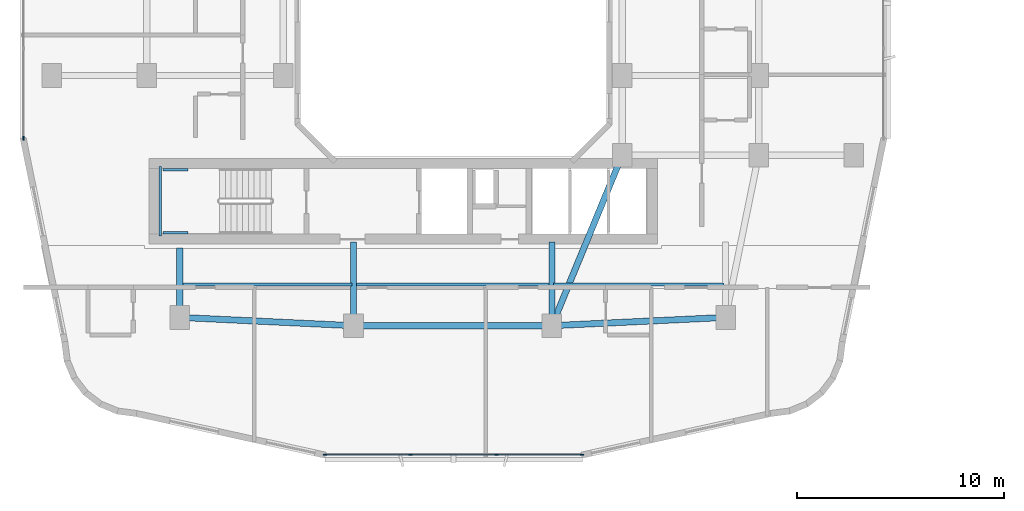
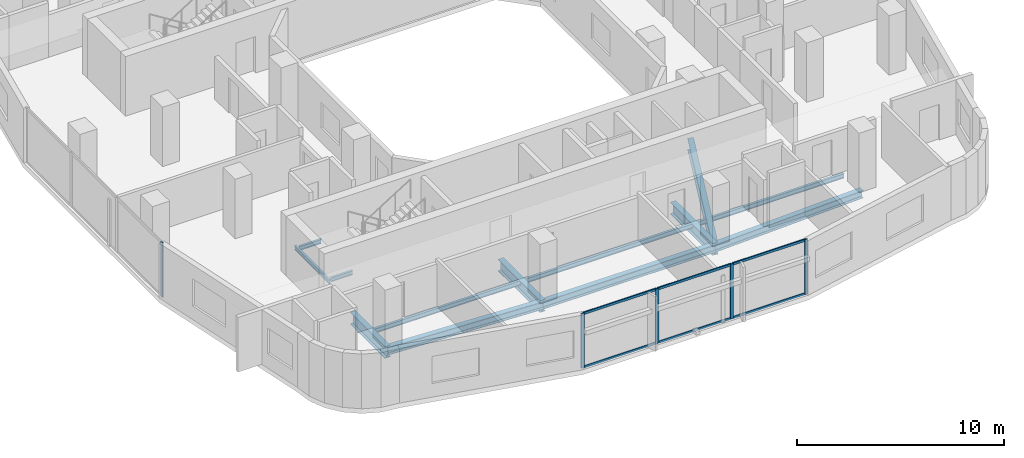
# One storey, part 2 of 27: 13 beams, 11 members, 2 elements without a shape of their own.
"""IFC4 building model written with IfcOpenShell, lengths in metres."""

import ifcopenshell
import ifcopenshell.guid

model = None  # the IFC model being written
_history = None  # IfcOwnerHistory: only IFC2X3 demands one
_inside = {}  # id of a spatial element -> (the spatial element, [elements in it])
_under = {}  # id of a project, library or spatial element -> (it, [spatial elements below it])
_declared = {}  # id of a project -> (the project, [libraries it declares])
_typed = {}  # id of a type object -> (the type object, [elements of that type])
_made_of = {}  # id of a material, layer set ... -> (it, [elements and type objects made of it])


def new_model(schema):
    """Start an empty IFC model of exactly this schema.

    Asked for "IFC4X3", IfcOpenShell would pick the latest addendum, in which some entities
    have other attributes; the version numbers below select the first issue.
    IFC2X3 requires an IfcOwnerHistory on every rooted entity: one is made here for all.
    """
    global model, _history
    if schema == "IFC4X3":
        model = ifcopenshell.file(schema_version=(4, 3, 0, 0))
    else:
        model = ifcopenshell.file(schema=schema)
    _inside.clear()
    _under.clear()
    _declared.clear()
    _typed.clear()
    _made_of.clear()
    _history = None
    if model.schema == "IFC2X3":
        org = make("IfcOrganization", Name="unknown")
        user = make(
            "IfcPersonAndOrganization",
            ThePerson=make("IfcPerson", FamilyName="unknown"),
            TheOrganization=org,
        )
        app = make(
            "IfcApplication",
            ApplicationDeveloper=org,
            Version="unknown",
            ApplicationFullName="unknown",
            ApplicationIdentifier="unknown",
        )
        _history = make(
            "IfcOwnerHistory",
            OwningUser=user,
            OwningApplication=app,
            ChangeAction="ADDED",
            CreationDate=0,
        )
    return model


def make(cls, **values):
    """One entity of the class cls with the attributes given. An attribute that is None is left unset."""
    return model.create_entity(
        cls, **{name: value for name, value in values.items() if value is not None}
    )


def rooted(cls, **values):
    """An entity with a GlobalId (a new one), such as an element, a storey or a relation."""
    return make(cls, GlobalId=ifcopenshell.guid.new(), OwnerHistory=_history, **values)


def si_unit(unit_type, name, prefix=None):
    """IfcSIUnit, for example si_unit("LENGTHUNIT", "METRE", prefix="MILLI")."""
    return make("IfcSIUnit", UnitType=unit_type, Prefix=prefix, Name=name)


def derived_unit(unit_type, elements):
    """IfcDerivedUnit: a product of units, each with its exponent."""
    return make(
        "IfcDerivedUnit",
        Elements=[
            make("IfcDerivedUnitElement", Unit=unit, Exponent=power)
            for unit, power in elements
        ],
        UnitType=unit_type,
    )


def assignment(units):
    """IfcUnitAssignment: the units of a project."""
    return None if units is None else make("IfcUnitAssignment", Units=units)


def point(xyz):
    """IfcCartesianPoint."""
    return None if xyz is None else make("IfcCartesianPoint", Coordinates=xyz)


def direction(xyz):
    """IfcDirection."""
    return None if xyz is None else make("IfcDirection", DirectionRatios=xyz)


def frame(location, z_axis=None, x_axis=None):
    """IfcAxis2Placement3D, a coordinate frame: its origin and axes. An axis left out is left unset."""
    return make(
        "IfcAxis2Placement3D",
        Location=point(location),
        Axis=direction(z_axis),
        RefDirection=direction(x_axis),
    )


def frame_2d(location, x_axis=None):
    """IfcAxis2Placement2D, a coordinate frame in the plane: its origin and x axis."""
    return make(
        "IfcAxis2Placement2D", Location=point(location), RefDirection=direction(x_axis)
    )


def origin():
    """The frame at (0, 0, 0) with its axes left unset."""
    return frame((0.0, 0.0, 0.0))


def origin_2d():
    """The frame at (0, 0) in the plane with its x axis left unset."""
    return frame_2d((0.0, 0.0))


def place(relative_to, where):
    """IfcLocalPlacement: puts the frame where relative to a parent placement (None: the world)."""
    return make(
        "IfcLocalPlacement", PlacementRelTo=relative_to, RelativePlacement=where
    )


def context(
    kind, dimensions, precision=None, world=None, true_north=None, identifier=None
):
    """IfcGeometricRepresentationContext, for example the 3D "Model" context."""
    return make(
        "IfcGeometricRepresentationContext",
        ContextIdentifier=identifier,
        ContextType=kind,
        CoordinateSpaceDimension=dimensions,
        Precision=precision,
        WorldCoordinateSystem=world,
        TrueNorth=true_north,
    )


def subcontext(parent, identifier, kind, view, scale=None):
    """IfcGeometricRepresentationSubContext, for example "Body" below "Model"."""
    return make(
        "IfcGeometricRepresentationSubContext",
        ContextIdentifier=identifier,
        ContextType=kind,
        ParentContext=parent,
        TargetScale=scale,
        TargetView=view,
    )


def project(units=None, contexts=None):
    """IfcProject with its units and contexts."""
    return rooted(
        "IfcProject",
        Name="project",
        RepresentationContexts=contexts,
        UnitsInContext=assignment(units),
    )


def spatial(cls, under=None, at=None, **own):
    """A site, building, storey or space (cls), placed at a placement, below another one or the project."""
    s = rooted(cls, ObjectPlacement=at, **own)
    if under is not None:
        _under.setdefault(under.id(), (under, []))[1].append(s)
    return s


def profile(cls, at=None, kind="AREA", **sizes):
    """A parametric profile (cls). Its sizes go by their IFC names, for example OverallWidth=200.0."""
    return make(cls, ProfileType=kind, Position=at, **sizes)


def rectangle(**sizes):
    """IfcRectangleProfileDef."""
    return profile("IfcRectangleProfileDef", **sizes)


def i_section(**sizes):
    """IfcIShapeProfileDef."""
    return profile("IfcIShapeProfileDef", **sizes)


def extrude(swept, where, along, depth):
    """IfcExtrudedAreaSolid: the profile swept, set in the frame where, extruded along a direction by depth."""
    return make(
        "IfcExtrudedAreaSolid",
        SweptArea=swept,
        Position=where,
        ExtrudedDirection=direction(along),
        Depth=depth,
    )


def shape(context_of_items, identifier, shape_type, items):
    """IfcShapeRepresentation: the items that make up one representation, for example the "Body"."""
    return make(
        "IfcShapeRepresentation",
        ContextOfItems=context_of_items,
        RepresentationIdentifier=identifier,
        RepresentationType=shape_type,
        Items=items,
    )


def material(Name=None, Category=None):
    """IfcMaterial."""
    return make("IfcMaterial", Name=Name, Category=Category)


def layer(
    of_material, thickness, ventilated=None, Name=None, Category=None, Priority=None
):
    """IfcMaterialLayer: one layer of a wall or slab, of a material (None: an air gap)."""
    return make(
        "IfcMaterialLayer",
        Material=of_material,
        LayerThickness=thickness,
        IsVentilated=ventilated,
        Name=Name,
        Category=Category,
        Priority=Priority,
    )


def layer_set(layers, Name=None):
    """IfcMaterialLayerSet."""
    return make("IfcMaterialLayerSet", MaterialLayers=layers, LayerSetName=Name)


def material_profile(
    of_material, cross_section, Name=None, Category=None, Priority=None
):
    """IfcMaterialProfile: a cross section and its material."""
    return make(
        "IfcMaterialProfile",
        Name=Name,
        Material=of_material,
        Profile=cross_section,
        Priority=Priority,
        Category=Category,
    )


def profile_set(profiles, Name=None, composite=None):
    """IfcMaterialProfileSet."""
    return make(
        "IfcMaterialProfileSet",
        Name=Name,
        MaterialProfiles=profiles,
        CompositeProfile=composite,
    )


def made_of(thing, what):
    """Note that an element or type object is made of a material, layer set ...; save() writes the relation."""
    if what is not None:
        _made_of.setdefault(what.id(), (what, []))[1].append(thing)
    return thing


def type_object(cls, material=None, **own):
    """A type object (cls), such as IfcWallType, which elements share."""
    return made_of(rooted(cls, **own), material)


def element(
    cls,
    number,
    at=None,
    inside=None,
    cuts=None,
    type_object=None,
    material=None,
    context=None,
    identifier="Body",
    shape_type=None,
    held_by="IfcProductDefinitionShape",
    body=None,
    shapes=None,
    **own,
):
    """One element of the class cls, such as IfcWall. Its Tag is "e" and its number.

    at: its placement. inside: the storey or other place that contains it. cuts: it is an
    opening in that element (IfcRelVoidsElement). A single representation is given by context,
    identifier, shape_type and body (its items); several are given by shapes. held_by: the class
    of the entity that holds the representations. save() writes the other relations.
    """
    e = rooted(cls, Tag="e%d" % number, ObjectPlacement=at, **own)
    if body is not None:
        shapes = [shape(context, identifier, shape_type, body)]
    if shapes is not None:
        e.Representation = make(held_by, Representations=shapes)
    if inside is not None:
        _inside.setdefault(inside.id(), (inside, []))[1].append(e)
    if cuts is not None:
        rooted(
            "IfcRelVoidsElement", RelatingBuildingElement=cuts, RelatedOpeningElement=e
        )
    if type_object is not None:
        _typed.setdefault(type_object.id(), (type_object, []))[1].append(e)
    return made_of(e, material)


def aggregate(whole, parts):
    """IfcRelAggregates: a whole, such as a stair, and the parts it consists of."""
    return rooted("IfcRelAggregates", RelatingObject=whole, RelatedObjects=parts)


def save(model, path):
    """Write the relations noted so far, then the file.

    IfcRelAggregates (storeys below a building ...), IfcRelContainedInSpatialStructure (elements
    in a storey), IfcRelDefinesByType, IfcRelAssociatesMaterial and IfcRelDeclares: one each for
    every whole, place, type object, material and project.
    """
    for whole, parts in _under.values():
        aggregate(whole, parts)
    for where, things in _inside.values():
        rooted(
            "IfcRelContainedInSpatialStructure",
            RelatedElements=things,
            RelatingStructure=where,
        )
    for kind, things in _typed.values():
        rooted("IfcRelDefinesByType", RelatedObjects=things, RelatingType=kind)
    for what, things in _made_of.values():
        rooted("IfcRelAssociatesMaterial", RelatedObjects=things, RelatingMaterial=what)
    for by, libraries in _declared.values():
        rooted("IfcRelDeclares", RelatingContext=by, RelatedDefinitions=libraries)
    model.write(path)


model = new_model("IFC4")

# Units and contexts
model_context = context("Model", 3, precision=1e-05, world=origin(), true_north=direction((0.0, 1.0)))
body_context = subcontext(model_context, "Body", "Model", "MODEL_VIEW")
ifc_project = project(units=[si_unit("LENGTHUNIT", "METRE"), si_unit("AREAUNIT", "SQUARE_METRE"), si_unit("VOLUMEUNIT", "CUBIC_METRE"), si_unit("PLANEANGLEUNIT", "RADIAN"), si_unit("MASSUNIT", "GRAM", prefix="KILO"), derived_unit("THERMALTRANSMITTANCEUNIT", [(si_unit("POWERUNIT", "WATT"), 1), (si_unit("LENGTHUNIT", "METRE"), -2), (si_unit("THERMODYNAMICTEMPERATUREUNIT", "KELVIN"), -1)])], contexts=[model_context])

# Site, building, storey
site_placement = place(None, origin())
site = spatial("IfcSite", under=ifc_project, at=site_placement, CompositionType="ELEMENT")
building_placement = place(site_placement, origin())
building = spatial("IfcBuilding", under=site, at=building_placement, Name="Kivonza Crest Hotel", CompositionType="ELEMENT")
storey_placement = place(building_placement, frame((0.0, 0.0, 73.0)))
storey = spatial("IfcBuildingStorey", under=building, at=storey_placement, Name="L19", CompositionType="ELEMENT", Elevation=73.0)

# Beams
ifc_material_1 = material(Name="Steel S355", Category="steel")
ifc_material_profile_1 = material_profile(ifc_material_1, i_section(OverallWidth=0.300048828125, OverallDepth=0.449951171875, WebThickness=0.013916015625, FlangeThickness=0.02587890625, FilletRadius=0.027099609375, at=origin_2d()), Name="HEB 450")
ifc_profile_set_1 = profile_set([ifc_material_profile_1], Name="Steel S355")
beam_type_1 = type_object("IfcBeamType", Name="BM-HEB450", PredefinedType="SPANDREL", material=ifc_profile_set_1)
beam_1_placement = place(storey_placement, frame((16.199951171875, 9.39990234375, -0.5048828125), z_axis=(1.0, 0.0, 0.0), x_axis=(0.0, 1.0, 0.0)))
element("IfcBeam", 1, at=beam_1_placement, inside=storey, type_object=beam_type_1, Name="Tower T1 L19 perimeter spandrel S1-S2", PredefinedType="SPANDREL", context=body_context, shape_type="SweptSolid", body=[
    extrude(i_section(OverallWidth=0.300048828125, OverallDepth=0.449951171875, WebThickness=0.013916015625, FlangeThickness=0.02587890625, FilletRadius=0.027099609375, at=origin_2d()), origin(), (0.0, 0.0, 1.0), 9.60009765625),
])
for number, where, z_axis, x_axis, name in (
    (2, (25.800048828125, 9.39990234375, -0.5048828125), (0.998867283688, 0.047583080799, 0.0), (-0.047583080799, 0.998867283688, 0.0), "Tower T1 L19 perimeter spandrel S2-SE"),
    (3, (7.800048828125, 9.800048828125, -0.5048828125), (0.998867283688, -0.047583080799, 0.0), (0.047583080799, 0.998867283688, 0.0), "Tower T1 L19 perimeter spandrel SW-S1"),
):
    element("IfcBeam", number, at=place(storey_placement, frame(where, z_axis=z_axis, x_axis=x_axis)), inside=storey, type_object=beam_type_1, Name=name, PredefinedType="SPANDREL", context=body_context, shape_type="SweptSolid", body=[
        extrude(i_section(OverallWidth=0.300048828125, OverallDepth=0.449951171875, WebThickness=0.013916015625, FlangeThickness=0.02587890625, FilletRadius=0.027099609375, at=origin_2d()), origin(), (0.0, 0.0, 1.0), 8.409423828125),
    ])
ifc_material_profile_2 = material_profile(ifc_material_1, i_section(OverallWidth=0.300048828125, OverallDepth=0.699951171875, WebThickness=0.01708984375, FlangeThickness=0.031982421875, FilletRadius=0.027099609375, at=origin_2d()), Name="HEB 700")
ifc_profile_set_2 = profile_set([ifc_material_profile_2], Name="Steel S355")
beam_type_2 = type_object("IfcBeamType", Name="BM-HEB700", PredefinedType="BEAM", material=ifc_profile_set_2)
beam_2_placement = place(storey_placement, frame((25.800048828125, 9.39990234375, -0.6298828125), z_axis=(0.381022260404, 0.924565864109, 0.0), x_axis=(-0.924565864109, 0.381022260404, 0.0)))
element("IfcBeam", 4, at=beam_2_placement, inside=storey, type_object=beam_type_2, Name="Tower T1 L19 primary girder S1-TSE", PredefinedType="BEAM", context=body_context, shape_type="SweptSolid", body=[
    extrude(i_section(OverallWidth=0.300048828125, OverallDepth=0.699951171875, WebThickness=0.01708984375, FlangeThickness=0.031982421875, FilletRadius=0.027099609375, at=origin_2d()), origin(), (0.0, 0.0, 1.0), 8.923095703125),
])
beam_3_placement = place(storey_placement, frame((7.800048828125, 9.800048828125, -0.6298828125), z_axis=(0.0, 1.0, 0.0), x_axis=(-1.0, 0.0, 0.0)))
element("IfcBeam", 5, at=beam_3_placement, inside=storey, type_object=beam_type_2, Name="Tower T1 L19 radial core girder RSW", PredefinedType="BEAM", context=body_context, shape_type="SweptSolid", body=[
    extrude(i_section(OverallWidth=0.300048828125, OverallDepth=0.699951171875, WebThickness=0.01708984375, FlangeThickness=0.031982421875, FilletRadius=0.027099609375, at=origin_2d()), origin(), (0.0, 0.0, 1.0), 3.349853515625),
])
for number, where, z_axis, x_axis, name in (
    (6, (16.199951171875, 9.39990234375, -0.6298828125), (0.0, 1.0, 0.0), (-1.0, 0.0, 0.0), "Tower T1 L19 radial core girder RS1"),
    (7, (25.800048828125, 9.39990234375, -0.6298828125), (0.0, 1.0, 0.0), (-1.0, 0.0, 0.0), "Tower T1 L19 radial core girder RS2"),
):
    element("IfcBeam", number, at=place(storey_placement, frame(where, z_axis=z_axis, x_axis=x_axis)), inside=storey, type_object=beam_type_2, Name=name, PredefinedType="BEAM", context=body_context, shape_type="SweptSolid", body=[
        extrude(i_section(OverallWidth=0.300048828125, OverallDepth=0.699951171875, WebThickness=0.01708984375, FlangeThickness=0.031982421875, FilletRadius=0.027099609375, at=origin_2d()), origin(), (0.0, 0.0, 1.0), 4.050048828125),
    ])
ifc_material_profile_3 = material_profile(ifc_material_1, i_section(OverallWidth=0.135009765625, OverallDepth=0.27001953125, WebThickness=0.006591796875, FlangeThickness=0.01025390625, FilletRadius=0.014892578125, at=origin_2d()), Name="IPE 270")
ifc_profile_set_3 = profile_set([ifc_material_profile_3], Name="Steel S355")
beam_type_3 = type_object("IfcBeamType", Name="BM-IPE270", PredefinedType="JOIST", material=ifc_profile_set_3)
beam_4_placement = place(storey_placement, frame((7.8798828125, 11.39990234375, -0.4150390625), z_axis=(1.0, 0.0, 0.0), x_axis=(0.0, 1.0, 0.0)))
element("IfcBeam", 8, at=beam_4_placement, inside=storey, type_object=beam_type_3, Name="Tower T1 L19 South-West floor joist", PredefinedType="JOIST", context=body_context, shape_type="SweptSolid", body=[
    extrude(i_section(OverallWidth=0.135009765625, OverallDepth=0.27001953125, WebThickness=0.006591796875, FlangeThickness=0.01025390625, FilletRadius=0.014892578125, at=origin_2d()), origin(), (0.0, 0.0, 1.0), 8.240234375),
])
beam_5_placement = place(storey_placement, frame((16.280029296875, 11.39990234375, -0.4150390625), z_axis=(1.0, 0.0, 0.0), x_axis=(0.0, 1.0, 0.0)))
element("IfcBeam", 9, at=beam_5_placement, inside=storey, type_object=beam_type_3, Name="Tower T1 L19 South-Mid floor joist", PredefinedType="JOIST", context=body_context, shape_type="SweptSolid", body=[
    extrude(i_section(OverallWidth=0.135009765625, OverallDepth=0.27001953125, WebThickness=0.006591796875, FlangeThickness=0.01025390625, FilletRadius=0.014892578125, at=origin_2d()), origin(), (0.0, 0.0, 1.0), 9.43994140625),
])
beam_6_placement = place(storey_placement, frame((25.8798828125, 11.39990234375, -0.4150390625), z_axis=(1.0, 0.0, 0.0), x_axis=(0.0, 1.0, 0.0)))
element("IfcBeam", 10, at=beam_6_placement, inside=storey, type_object=beam_type_3, Name="Tower T1 L19 South-East floor joist", PredefinedType="JOIST", context=body_context, shape_type="SweptSolid", body=[
    extrude(i_section(OverallWidth=0.135009765625, OverallDepth=0.27001953125, WebThickness=0.006591796875, FlangeThickness=0.01025390625, FilletRadius=0.014892578125, at=origin_2d()), origin(), (0.0, 0.0, 1.0), 8.240234375),
])
ifc_material_profile_4 = material_profile(ifc_material_1, i_section(OverallWidth=0.1201171875, OverallDepth=0.239990234375, WebThickness=0.006103515625, FlangeThickness=0.009765625, FilletRadius=0.014892578125, at=origin_2d()), Name="IPE 240")
ifc_profile_set_4 = profile_set([ifc_material_profile_4], Name="Steel S355")
beam_type_4 = type_object("IfcBeamType", Name="BM-LLDG-240", PredefinedType="BEAM", material=ifc_profile_set_4)
beam_7_placement = place(storey_placement, frame((6.860107421875, 13.739990234375, 1.429931640625), z_axis=(0.0, 1.0, 0.0), x_axis=(-1.0, 0.0, 0.0)))
element("IfcBeam", 11, at=beam_7_placement, inside=storey, type_object=beam_type_4, Name="Stair ST-T1-S L19 West landing corbel", PredefinedType="BEAM", context=body_context, shape_type="SweptSolid", body=[
    extrude(i_section(OverallWidth=0.1201171875, OverallDepth=0.239990234375, WebThickness=0.006103515625, FlangeThickness=0.009765625, FilletRadius=0.014892578125, at=origin_2d()), origin(), (0.0, 0.0, 1.0), 3.360107421875),
])
for number, where, z_axis, x_axis, name in (
    (12, (6.989990234375, 13.89990234375, 1.429931640625), (1.0, 0.0, 0.0), (0.0, 1.0, 0.0), "Stair ST-T1-S L19 South landing corbel"),
    (13, (6.989990234375, 16.93994140625, 1.429931640625), (1.0, 0.0, 0.0), (0.0, 1.0, 0.0), "Stair ST-T1-S L19 North landing corbel"),
):
    element("IfcBeam", number, at=place(storey_placement, frame(where, z_axis=z_axis, x_axis=x_axis)), inside=storey, type_object=beam_type_4, Name=name, PredefinedType="BEAM", context=body_context, shape_type="SweptSolid", body=[
        extrude(i_section(OverallWidth=0.1201171875, OverallDepth=0.239990234375, WebThickness=0.006103515625, FlangeThickness=0.009765625, FilletRadius=0.014892578125, at=origin_2d()), origin(), (0.0, 0.0, 1.0), 1.2099609375),
    ])

# Curtain wall, members
ifc_material_2 = material(Name="Anodised bronze aluminium and low-E double glazing", Category="aluminium")
ifc_layer = layer(ifc_material_2, 0.179931640625)
ifc_layer_set = layer_set([ifc_layer], Name="Anodised bronze aluminium and low-E double glazing")
curtain_wall_type = type_object("IfcCurtainWallType", Name="CW-SYS-2", PredefinedType="NOTDEFINED", material=ifc_layer_set)
curtain_wall_1_placement = place(storey_placement, origin())
curtain_wall_1 = element("IfcCurtainWall", 14, at=curtain_wall_1_placement, inside=storey, type_object=curtain_wall_type, Name="L19 unitised curtain wall CW-T1-L19-08", PredefinedType="NOTDEFINED")
ifc_material_3 = material(Name="Anodised bronze aluminium", Category="aluminium")
ifc_material_profile_5 = material_profile(ifc_material_3, rectangle(XDim=0.06494140625, YDim=0.179931640625, at=origin_2d()), Name="CW-M 65x180")
ifc_profile_set_5 = profile_set([ifc_material_profile_5], Name="Anodised bronze aluminium")
member_type_1 = type_object("IfcMemberType", Name="CW-MUL-65x180", PredefinedType="MULLION", material=ifc_profile_set_5)
member_1_placement = place(storey_placement, frame((14.824462890625, 3.159912109375, 0.0), z_axis=(0.0, 0.0, 1.0), x_axis=(0.0, 1.0, 0.0)))
member_1 = element("IfcMember", 15, at=member_1_placement, type_object=member_type_1, Name="CW-2 mullion 1", PredefinedType="MULLION", context=body_context, shape_type="SweptSolid", body=[
    extrude(rectangle(XDim=0.06494140625, YDim=0.179931640625, at=origin_2d()), origin(), (0.0, 0.0, 1.0), 3.219970703125),
])
member_2_placement = place(storey_placement, frame((18.957275390625, 3.159912109375, 0.0), z_axis=(0.0, 0.0, 1.0), x_axis=(0.0, 1.0, 0.0)))
member_2 = element("IfcMember", 16, at=member_2_placement, type_object=member_type_1, Name="CW-2 mullion 2", PredefinedType="MULLION", context=body_context, shape_type="SweptSolid", body=[
    extrude(rectangle(XDim=0.06494140625, YDim=0.179931640625, at=origin_2d()), origin(), (0.0, 0.0, 1.0), 3.219970703125),
])
member_3_placement = place(storey_placement, frame((23.12255859375, 3.159912109375, 0.0), z_axis=(0.0, 0.0, 1.0), x_axis=(0.0, 1.0, 0.0)))
member_3 = element("IfcMember", 17, at=member_3_placement, type_object=member_type_1, Name="CW-2 mullion 3", PredefinedType="MULLION", context=body_context, shape_type="SweptSolid", body=[
    extrude(rectangle(XDim=0.06494140625, YDim=0.179931640625, at=origin_2d()), origin(), (0.0, 0.0, 1.0), 3.219970703125),
])
member_4_placement = place(storey_placement, frame((27.255615234375, 3.159912109375, 0.0), z_axis=(0.0, 0.0, 1.0), x_axis=(0.0, 1.0, 0.0)))
member_4 = element("IfcMember", 18, at=member_4_placement, type_object=member_type_1, Name="CW-2 mullion 4", PredefinedType="MULLION", context=body_context, shape_type="SweptSolid", body=[
    extrude(rectangle(XDim=0.06494140625, YDim=0.179931640625, at=origin_2d()), origin(), (0.0, 0.0, 1.0), 3.219970703125),
])

# Curtain wall, member
curtain_wall_2_placement = place(storey_placement, origin())
curtain_wall_2 = element("IfcCurtainWall", 19, at=curtain_wall_2_placement, inside=storey, type_object=curtain_wall_type, Name="L19 unitised curtain wall CW-T1-L19-35", PredefinedType="NOTDEFINED")
member_5_placement = place(storey_placement, frame((0.239990234375, 18.472412109375, 0.0), z_axis=(0.0, 0.0, 1.0), x_axis=(1.0, 0.0, 0.0)))
member_5 = element("IfcMember", 20, at=member_5_placement, type_object=member_type_1, Name="CW-2 mullion 4", PredefinedType="MULLION", context=body_context, shape_type="SweptSolid", body=[
    extrude(rectangle(XDim=0.06494140625, YDim=0.179931640625, at=origin_2d()), origin(), (0.0, 0.0, 1.0), 3.219970703125),
])
aggregate(curtain_wall_2, [member_5])

# Member
ifc_material_profile_6 = material_profile(ifc_material_3, rectangle(XDim=0.06494140625, YDim=0.139892578125, at=origin_2d()), Name="CW-T 65x140")
ifc_profile_set_6 = profile_set([ifc_material_profile_6], Name="Anodised bronze aluminium")
member_type_2 = type_object("IfcMemberType", Name="CW-TRN-65x140", PredefinedType="USERDEFINED", material=ifc_profile_set_6)
member_6_placement = place(storey_placement, frame((14.85693359375, 3.159912109375, 0.032470703125), z_axis=(1.0, 0.0, 0.0), x_axis=(0.0, 1.0, 0.0)))
member_6 = element("IfcMember", 21, at=member_6_placement, type_object=member_type_2, Name="CW-2 transom 1.1", ObjectType="TRANSOM", PredefinedType="USERDEFINED", context=body_context, shape_type="SweptSolid", body=[
    extrude(rectangle(XDim=0.06494140625, YDim=0.139892578125, at=origin_2d()), origin(), (0.0, 0.0, 1.0), 4.06787109375),
])

member_7_placement = place(storey_placement, frame((14.85693359375, 3.159912109375, 3.1875), z_axis=(1.0, 0.0, 0.0), x_axis=(0.0, 1.0, 0.0)))
member_7 = element("IfcMember", 22, at=member_7_placement, type_object=member_type_2, Name="CW-2 transom 1.2", ObjectType="TRANSOM", PredefinedType="USERDEFINED", context=body_context, shape_type="SweptSolid", body=[
    extrude(rectangle(XDim=0.06494140625, YDim=0.139892578125, at=origin_2d()), origin(), (0.0, 0.0, 1.0), 4.06787109375),
])

member_8_placement = place(storey_placement, frame((18.98974609375, 3.159912109375, 0.032470703125), z_axis=(1.0, 0.0, 0.0), x_axis=(0.0, 1.0, 0.0)))
member_8 = element("IfcMember", 23, at=member_8_placement, type_object=member_type_2, Name="CW-2 transom 2.1", ObjectType="TRANSOM", PredefinedType="USERDEFINED", context=body_context, shape_type="SweptSolid", body=[
    extrude(rectangle(XDim=0.06494140625, YDim=0.139892578125, at=origin_2d()), origin(), (0.0, 0.0, 1.0), 4.100341796875),
])

member_9_placement = place(storey_placement, frame((18.98974609375, 3.159912109375, 3.1875), z_axis=(1.0, 0.0, 0.0), x_axis=(0.0, 1.0, 0.0)))
member_9 = element("IfcMember", 24, at=member_9_placement, type_object=member_type_2, Name="CW-2 transom 2.2", ObjectType="TRANSOM", PredefinedType="USERDEFINED", context=body_context, shape_type="SweptSolid", body=[
    extrude(rectangle(XDim=0.06494140625, YDim=0.139892578125, at=origin_2d()), origin(), (0.0, 0.0, 1.0), 4.100341796875),
])

member_10_placement = place(storey_placement, frame((23.1552734375, 3.159912109375, 0.032470703125), z_axis=(1.0, 0.0, 0.0), x_axis=(0.0, 1.0, 0.0)))
member_10 = element("IfcMember", 25, at=member_10_placement, type_object=member_type_2, Name="CW-2 transom 3.1", ObjectType="TRANSOM", PredefinedType="USERDEFINED", context=body_context, shape_type="SweptSolid", body=[
    extrude(rectangle(XDim=0.06494140625, YDim=0.139892578125, at=origin_2d()), origin(), (0.0, 0.0, 1.0), 4.067626953125),
])

member_11_placement = place(storey_placement, frame((23.1552734375, 3.159912109375, 3.1875), z_axis=(1.0, 0.0, 0.0), x_axis=(0.0, 1.0, 0.0)))
member_11 = element("IfcMember", 26, at=member_11_placement, type_object=member_type_2, Name="CW-2 transom 3.2", ObjectType="TRANSOM", PredefinedType="USERDEFINED", context=body_context, shape_type="SweptSolid", body=[
    extrude(rectangle(XDim=0.06494140625, YDim=0.139892578125, at=origin_2d()), origin(), (0.0, 0.0, 1.0), 4.067626953125),
])

aggregate(curtain_wall_1, [member_1, member_2, member_3, member_4, member_6, member_7, member_8, member_9, member_10, member_11])

save(model, "model.ifc")
